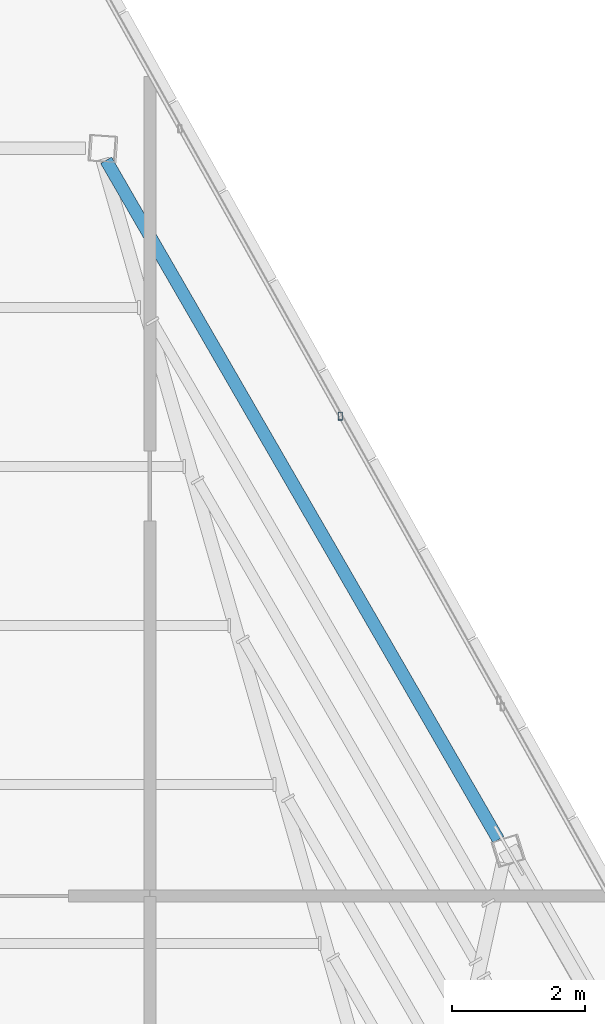
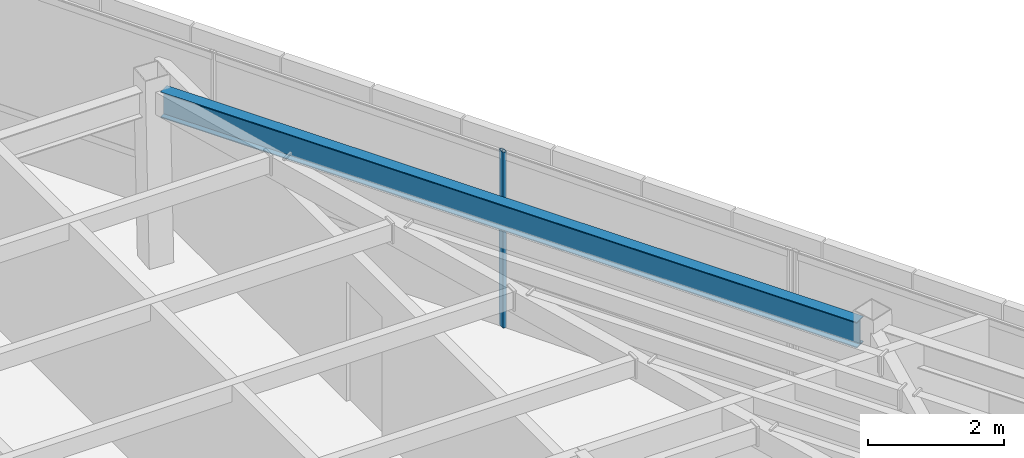
# One storey, part 35 of 48: 1 beam, 1 member, 1 element without a shape of its own.
"""IFC4 building model written with IfcOpenShell, lengths in metres."""

from ifc_helpers import new_model, si_unit, direction, frame, origin, origin_2d, place, context, subcontext, project, spatial, hollow_rectangle, i_section, extrude, source, transform, mapped, material, material_profile, profile_set, type_object, type_shapes, element, aggregate, save


model = new_model("IFC4")

# Units and contexts
model_context = context("Model", 3, precision=1e-05, world=origin(), true_north=direction((0.0, 1.0)))
body_context = subcontext(model_context, "Body", "Model", "MODEL_VIEW")
ifc_project = project(units=[si_unit("LENGTHUNIT", "METRE"), si_unit("AREAUNIT", "SQUARE_METRE"), si_unit("VOLUMEUNIT", "CUBIC_METRE"), si_unit("PLANEANGLEUNIT", "RADIAN"), si_unit("MASSUNIT", "GRAM", prefix="KILO")], contexts=[model_context])

# Site, building, storey
site_placement = place(None, origin())
site = spatial("IfcSite", under=ifc_project, at=site_placement, CompositionType="ELEMENT")
building_placement = place(site_placement, origin())
building = spatial("IfcBuilding", under=site, at=building_placement, Name="Caelisora Broadcast Tower", CompositionType="ELEMENT")
storey_placement = place(building_placement, frame((0.0, 0.0, 300.0)))
storey = spatial("IfcBuildingStorey", under=building, at=storey_placement, Name="L79", CompositionType="ELEMENT", Elevation=300.0)

# Beam
ifc_material_1 = material(Name="Steel Grade 350 (AS/NZS 3679.1)", Category="steel")
ifc_material_profile_1 = material_profile(ifc_material_1, i_section(OverallWidth=0.19091796875, OverallDepth=0.46044921875, WebThickness=0.010009765625, FlangeThickness=0.01611328125, at=origin_2d()), Name="Steel Grade 350 (AS/NZS 3679.1)")
ifc_profile_set_1 = profile_set([ifc_material_profile_1], Name="Steel Grade 350 (AS/NZS 3679.1)")
beam_type = type_object("IfcBeamType", Name="PG06", PredefinedType="BEAM", material=ifc_profile_set_1)
shared_shape_1 = source(origin(), body_context, "Body", "SweptSolid", [
    extrude(i_section(OverallWidth=0.19091796875, OverallDepth=0.46044921875, WebThickness=0.010009765625, FlangeThickness=0.01611328125, at=origin_2d()), origin(), (0.0, 0.0, 1.0), 11.8095703125),
])
type_shapes(beam_type, [shared_shape_1])
beam_placement = place(storey_placement, frame((46.74755859375, 36.348876953125, 2.919921875), z_axis=(-0.50000340912, 0.866023435519, 0.0), x_axis=(-0.866023435519, -0.50000340912, 0.0)))
element("IfcBeam", 1, at=beam_placement, inside=storey, type_object=beam_type, Name="L79 beam PG06", PredefinedType="BEAM", context=body_context, shape_type="MappedRepresentation", body=[
    mapped(shared_shape_1, transform((0.0, 0.0, 0.0), scale=1.0)),
])

# Curtain wall, member
ifc_material_2 = material(Name="Unitised Aluminium Insulated Shadow-Box Spandrel Curtain Wall", Category="aluminium")
curtain_wall_type = type_object("IfcCurtainWallType", Name="CW-SP3", PredefinedType="NOTDEFINED", material=ifc_material_2)
curtain_wall_placement = place(storey_placement, origin())
curtain_wall = element("IfcCurtainWall", 2, at=curtain_wall_placement, inside=storey, type_object=curtain_wall_type, Name="L79 curtain wall CW-SP3", PredefinedType="NOTDEFINED")
ifc_material_3 = material(Name="Aluminium 6063-T6 Anodised Terracotta Bronze", Category="aluminium")
ifc_material_profile_2 = material_profile(ifc_material_3, hollow_rectangle(XDim=0.06005859375, YDim=0.1201171875, WallThickness=0.0029296875, at=origin_2d()), Name="Aluminium 6063-T6 Anodised Terracotta Bronze")
ifc_profile_set_2 = profile_set([ifc_material_profile_2], Name="Aluminium 6063-T6 Anodised Terracotta Bronze")
member_type = type_object("IfcMemberType", Name="CWM-04", PredefinedType="MULLION", material=ifc_profile_set_2)
shared_shape_2 = source(origin(), body_context, "Body", "SweptSolid", [
    extrude(hollow_rectangle(XDim=0.06005859375, YDim=0.1201171875, WallThickness=0.0029296875, at=origin_2d()), origin(), (0.0, 0.0, 1.0), 3.14990234375),
])
type_shapes(member_type, [shared_shape_2])
member_placement = place(storey_placement, frame((44.3671875, 42.724853515625, 0.0), z_axis=(0.0, 0.0, 1.0), x_axis=(1.0, 0.0, 0.0)))
member = element("IfcMember", 3, at=member_placement, type_object=member_type, Name="L79-CW-B01 mullion #2", PredefinedType="MULLION", context=body_context, shape_type="MappedRepresentation", body=[
    mapped(shared_shape_2, transform((0.0, 0.0, 0.0), scale=1.0)),
])
aggregate(curtain_wall, [member])

save(model, "model.ifc")
